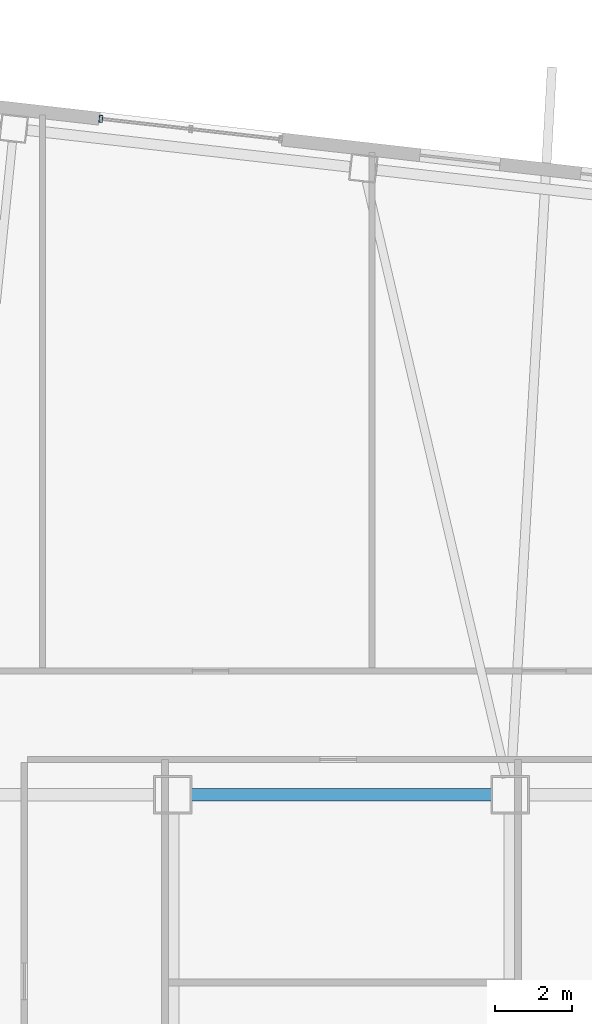
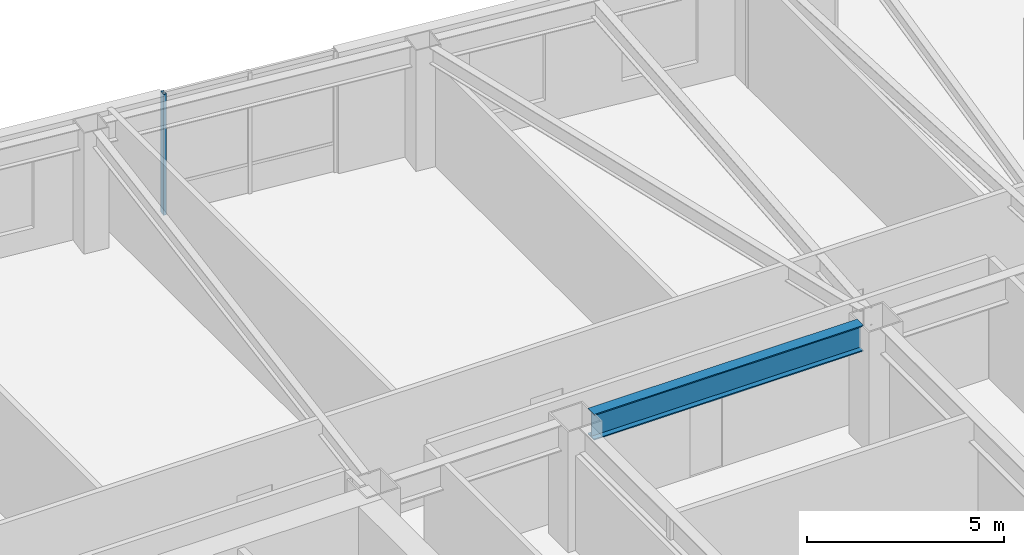
# One storey, part 8 of 21: 1 beam, 1 member, 1 element without a shape of its own.
"""IFC4 building model written with IfcOpenShell, lengths in metres."""

from ifc_helpers import new_model, si_unit, direction, frame, origin, origin_2d, place, context, subcontext, project, spatial, hollow_rectangle, i_section, extrude, material, layer, layer_set, material_profile, profile_set, type_object, element, aggregate, save


model = new_model("IFC4")

# Units and contexts
model_context = context("Model", 3, precision=1e-05, world=origin(), true_north=direction((0.0, 1.0)))
body_context = subcontext(model_context, "Body", "Model", "MODEL_VIEW")
ifc_project = project(units=[si_unit("LENGTHUNIT", "METRE"), si_unit("AREAUNIT", "SQUARE_METRE"), si_unit("VOLUMEUNIT", "CUBIC_METRE"), si_unit("PLANEANGLEUNIT", "RADIAN"), si_unit("MASSUNIT", "GRAM", prefix="KILO")], contexts=[model_context])

# Site, building, storey
site_placement = place(None, origin())
site = spatial("IfcSite", under=ifc_project, at=site_placement, CompositionType="ELEMENT")
building_placement = place(site_placement, origin())
building = spatial("IfcBuilding", under=site, at=building_placement, Name="Tavrogorsk Clinical Tower", CompositionType="ELEMENT")
storey_placement = place(building_placement, frame((0.0, 0.0, 121.39990234375)))
storey = spatial("IfcBuildingStorey", under=building, at=storey_placement, Name="L27", CompositionType="ELEMENT", Elevation=121.39990234375)

# Curtain wall, member
ifc_material_1 = material(Name="Anodised aluminium and triple IGU glazing", Category="aluminium")
ifc_layer = layer(ifc_material_1, 0.179931640625)
ifc_layer_set = layer_set([ifc_layer], Name="Anodised aluminium and triple IGU glazing")
curtain_wall_type = type_object("IfcCurtainWallType", Name="CW2_NorthSlot", PredefinedType="NOTDEFINED", material=ifc_layer_set)
curtain_wall_placement = place(storey_placement, origin())
curtain_wall = element("IfcCurtainWall", 1, at=curtain_wall_placement, inside=storey, type_object=curtain_wall_type, Name="L27 Curtain Wall CW-L27-N-SLOT-1", PredefinedType="NOTDEFINED")
ifc_material_2 = material(Name="Anodised aluminium alloy AW-6060", Category="aluminium")
ifc_material_profile_1 = material_profile(ifc_material_2, hollow_rectangle(XDim=0.090087890625, YDim=0.179931640625, WallThickness=0.00634765625, at=origin_2d()), Name="RHS-180x90x6.3")
ifc_profile_set_1 = profile_set([ifc_material_profile_1], Name="Anodised aluminium alloy AW-6060")
member_type = type_object("IfcMemberType", Name="CwMullion_180x90", PredefinedType="MULLION", material=ifc_profile_set_1)
member_placement = place(storey_placement, frame((-6.273681640625, 23.9775390625, 0.0), z_axis=(0.0, 0.0, 1.0), x_axis=(-0.993571858269, 0.113203191016, 0.0)))
member = element("IfcMember", 2, at=member_placement, type_object=member_type, Name="CW-L27-N-SLOT-1 Mullion 3", PredefinedType="MULLION", context=body_context, shape_type="SweptSolid", body=[
    extrude(hollow_rectangle(XDim=0.090087890625, YDim=0.179931640625, WallThickness=0.00634765625, at=origin_2d()), origin(), (0.0, 0.0, 1.0), 3.739990234375),
])
aggregate(curtain_wall, [member])

# Beam
ifc_material_3 = material(Name="Structural steel S390", Category="steel")
ifc_material_profile_2 = material_profile(ifc_material_3, i_section(OverallWidth=0.320068359375, OverallDepth=0.800048828125, WebThickness=0.02001953125, FlangeThickness=0.033935546875, at=origin_2d()), Name="B-800x320x20x34")
ifc_profile_set_2 = profile_set([ifc_material_profile_2], Name="Structural steel S390")
beam_type = type_object("IfcBeamType", Name="PrimaryGirder_B800", PredefinedType="USERDEFINED", material=ifc_profile_set_2)
beam_placement = place(storey_placement, frame((-3.93994140625, 6.35009765625, 3.340087890625), z_axis=(1.0, 0.0, 0.0), x_axis=(0.0, 1.0, 0.0)))
element("IfcBeam", 3, at=beam_placement, inside=storey, type_object=beam_type, Name="L27 Primary Spine Girder MG-04", ObjectType="GIRDER", PredefinedType="USERDEFINED", context=body_context, shape_type="SweptSolid", body=[
    extrude(i_section(OverallWidth=0.320068359375, OverallDepth=0.800048828125, WebThickness=0.02001953125, FlangeThickness=0.033935546875, at=origin_2d()), origin(), (0.0, 0.0, 1.0), 7.8798828125),
])

save(model, "model.ifc")
